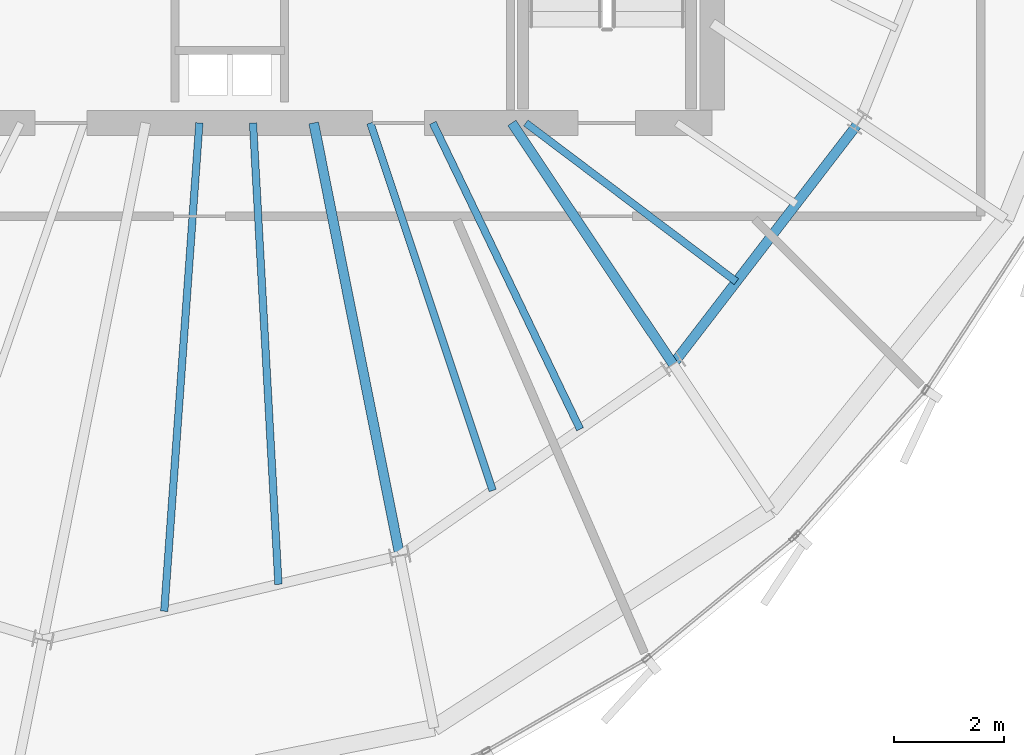
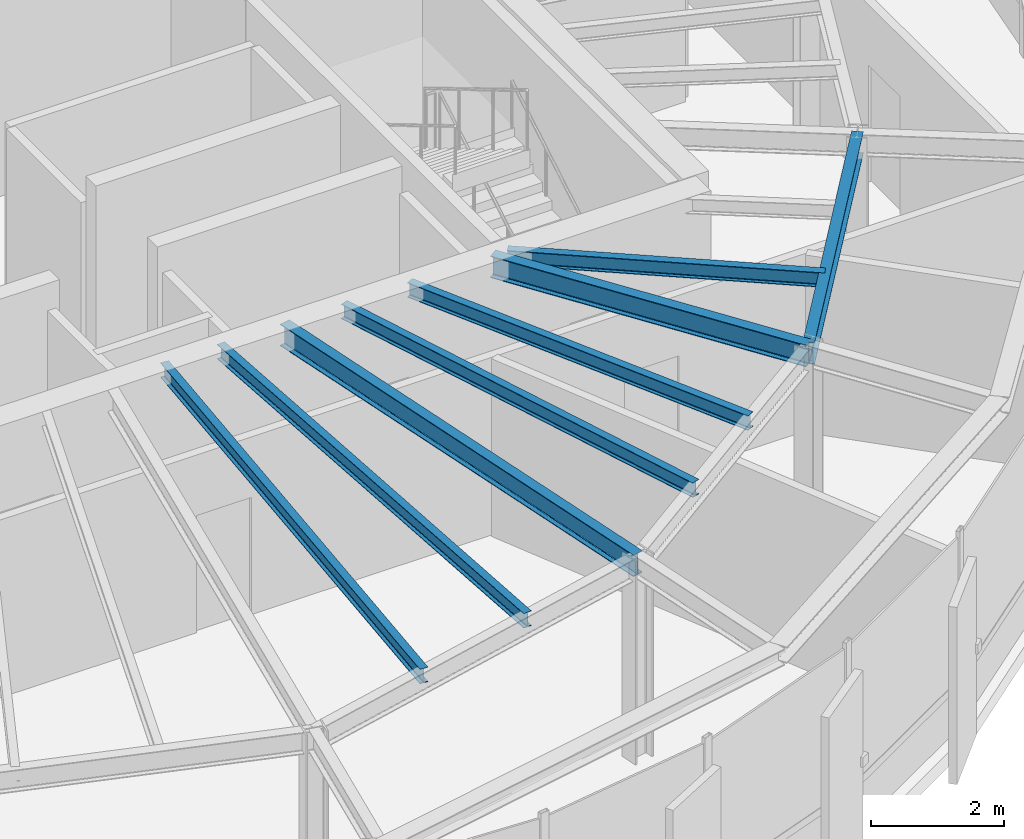
# One storey, part 8 of 27: 8 beams.
"""IFC4 building model written with IfcOpenShell, lengths in metres."""

from ifc_helpers import new_model, si_unit, direction, frame, origin, origin_2d, place, context, subcontext, project, spatial, i_section, extrude, source, transform, mapped, material, material_profile, profile_set, type_object, element, save


model = new_model("IFC4")

# Units and contexts
model_context = context("Model", 3, precision=1e-05, world=origin(), true_north=direction((0.0, 1.0)))
body_context = subcontext(model_context, "Body", "Model", "MODEL_VIEW")
ifc_project = project(units=[si_unit("LENGTHUNIT", "METRE"), si_unit("AREAUNIT", "SQUARE_METRE"), si_unit("VOLUMEUNIT", "CUBIC_METRE"), si_unit("PLANEANGLEUNIT", "RADIAN"), si_unit("MASSUNIT", "GRAM", prefix="KILO"), si_unit("THERMODYNAMICTEMPERATUREUNIT", "KELVIN")], contexts=[model_context])

# Site, building, storey
site_placement = place(None, origin())
site = spatial("IfcSite", under=ifc_project, at=site_placement, CompositionType="ELEMENT")
building_placement = place(site_placement, origin())
building = spatial("IfcBuilding", under=site, at=building_placement, Name="Kethvar Cultural Tower", CompositionType="ELEMENT")
storey_placement = place(building_placement, frame((0.0, 0.0, 312.300048828125)))
storey = spatial("IfcBuildingStorey", under=building, at=storey_placement, Name="L83", CompositionType="ELEMENT", Elevation=312.300048828125)

# Beams
ifc_material = material(Name="Steel S355J2", Category="steel")
ifc_material_profile_1 = material_profile(ifc_material, i_section(OverallWidth=0.135009765625, OverallDepth=0.27001953125, WebThickness=0.006591796875, FlangeThickness=0.01025390625, FilletRadius=0.014892578125, at=origin_2d()), Name="Steel S355J2 — IPE270")
ifc_profile_set_1 = profile_set([ifc_material_profile_1], Name="Steel S355J2 — IPE270")
beam_type_1 = type_object("IfcBeamType", Name="BM-J270", PredefinedType="JOIST", material=ifc_profile_set_1)
shared_shape_1 = source(origin(), body_context, "Body", "SweptSolid", [
    extrude(i_section(OverallWidth=0.135009765625, OverallDepth=0.27001953125, WebThickness=0.006591796875, FlangeThickness=0.01025390625, FilletRadius=0.014892578125, at=origin_2d()), origin(), (0.0, 0.0, 1.0), 8.9296875),
])
beam_1_placement = place(storey_placement, frame((46.246337890625, 20.10009765625, 3.597900390625), z_axis=(-0.071713352262, -0.99742528297, 0.0), x_axis=(0.99742528297, -0.071713352262, 0.0)))
element("IfcBeam", 1, at=beam_1_placement, inside=storey, type_object=beam_type_1, Name="L83 Composite Floor Joist J-12A", PredefinedType="JOIST", context=body_context, shape_type="MappedRepresentation", body=[
    mapped(shared_shape_1, transform((0.0, 0.0, 0.0), scale=1.0)),
])
shared_shape_2 = source(origin(), body_context, "Body", "SweptSolid", [
    extrude(i_section(OverallWidth=0.135009765625, OverallDepth=0.27001953125, WebThickness=0.006591796875, FlangeThickness=0.01025390625, FilletRadius=0.014892578125, at=origin_2d()), origin(), (0.0, 0.0, 1.0), 8.427978515625),
])
beam_2_placement = place(storey_placement, frame((47.224609375, 20.10009765625, 3.597900390625), z_axis=(0.055067321535, -0.998482643865, 0.0), x_axis=(0.998482643865, 0.055067321535, 0.0)))
element("IfcBeam", 2, at=beam_2_placement, inside=storey, type_object=beam_type_1, Name="L83 Composite Floor Joist J-12B", PredefinedType="JOIST", context=body_context, shape_type="MappedRepresentation", body=[
    mapped(shared_shape_2, transform((0.0, 0.0, 0.0), scale=1.0)),
])
shared_shape_3 = source(origin(), body_context, "Body", "SweptSolid", [
    extrude(i_section(OverallWidth=0.135009765625, OverallDepth=0.27001953125, WebThickness=0.006591796875, FlangeThickness=0.01025390625, FilletRadius=0.014892578125, at=origin_2d()), origin(), (0.0, 0.0, 1.0), 7.0673828125),
])
beam_3_placement = place(storey_placement, frame((49.363525390625, 20.10009765625, 3.597900390625), z_axis=(0.315875389768, -0.948800684095, 0.0), x_axis=(0.948800684095, 0.315875389768, 0.0)))
element("IfcBeam", 3, at=beam_3_placement, inside=storey, type_object=beam_type_1, Name="L83 Composite Floor Joist J-13A", PredefinedType="JOIST", context=body_context, shape_type="MappedRepresentation", body=[
    mapped(shared_shape_3, transform((0.0, 0.0, 0.0), scale=1.0)),
])
shared_shape_4 = source(origin(), body_context, "Body", "SweptSolid", [
    extrude(i_section(OverallWidth=0.135009765625, OverallDepth=0.27001953125, WebThickness=0.006591796875, FlangeThickness=0.01025390625, FilletRadius=0.014892578125, at=origin_2d()), origin(), (0.0, 0.0, 1.0), 6.2001953125),
])
beam_4_placement = place(storey_placement, frame((50.50341796875, 20.10009765625, 3.597900390625), z_axis=(0.433410678328, -0.901196529017, 0.0), x_axis=(0.901196529017, 0.433410678328, 0.0)))
element("IfcBeam", 4, at=beam_4_placement, inside=storey, type_object=beam_type_1, Name="L83 Composite Floor Joist J-13B", PredefinedType="JOIST", context=body_context, shape_type="MappedRepresentation", body=[
    mapped(shared_shape_4, transform((0.0, 0.0, 0.0), scale=1.0)),
])
shared_shape_5 = source(origin(), body_context, "Body", "SweptSolid", [
    extrude(i_section(OverallWidth=0.135009765625, OverallDepth=0.27001953125, WebThickness=0.006591796875, FlangeThickness=0.01025390625, FilletRadius=0.014892578125, at=origin_2d()), origin(), (0.0, 0.0, 1.0), 4.810791015625),
])
beam_5_placement = place(storey_placement, frame((52.199951171875, 20.10009765625, 3.597900390625), z_axis=(0.798542152732, -0.601938892505, 0.0), x_axis=(0.601938892505, 0.798542152732, 0.0)))
element("IfcBeam", 5, at=beam_5_placement, inside=storey, type_object=beam_type_1, Name="L83 Composite Floor Joist J-14A", PredefinedType="JOIST", context=body_context, shape_type="MappedRepresentation", body=[
    mapped(shared_shape_5, transform((0.0, 0.0, 0.0), scale=1.0)),
])
ifc_material_profile_2 = material_profile(ifc_material, i_section(OverallWidth=0.179931640625, OverallDepth=0.39990234375, WebThickness=0.008544921875, FlangeThickness=0.013427734375, FilletRadius=0.02099609375, at=origin_2d()), Name="Steel S355J2 — IPE400")
ifc_profile_set_2 = profile_set([ifc_material_profile_2], Name="Steel S355J2 — IPE400")
beam_type_2 = type_object("IfcBeamType", Name="BM-IPE400", PredefinedType="BEAM", material=ifc_profile_set_2)
shared_shape_6 = source(origin(), body_context, "Body", "SweptSolid", [
    extrude(i_section(OverallWidth=0.179931640625, OverallDepth=0.39990234375, WebThickness=0.008544921875, FlangeThickness=0.013427734375, FilletRadius=0.02099609375, at=origin_2d()), origin(), (0.0, 0.0, 1.0), 8.0478515625),
])
beam_6_placement = place(storey_placement, frame((48.33154296875, 20.10009765625, 3.532958984375), z_axis=(0.195089278796, -0.980785487912, 0.0), x_axis=(0.980785487912, 0.195089278796, 0.0)))
element("IfcBeam", 6, at=beam_6_placement, inside=storey, type_object=beam_type_2, Name="L83 Primary Radial Beam RB-13", PredefinedType="BEAM", context=body_context, shape_type="MappedRepresentation", body=[
    mapped(shared_shape_6, transform((0.0, 0.0, 0.0), scale=1.0)),
])
shared_shape_7 = source(origin(), body_context, "Body", "SweptSolid", [
    extrude(i_section(OverallWidth=0.179931640625, OverallDepth=0.39990234375, WebThickness=0.008544921875, FlangeThickness=0.013427734375, FilletRadius=0.02099609375, at=origin_2d()), origin(), (0.0, 0.0, 1.0), 5.291748046875),
])
beam_7_placement = place(storey_placement, frame((51.945068359375, 20.10009765625, 3.532958984375), z_axis=(0.555572931011, -0.831467809556, 0.0), x_axis=(0.831467809556, 0.555572931011, 0.0)))
element("IfcBeam", 7, at=beam_7_placement, inside=storey, type_object=beam_type_2, Name="L83 Primary Radial Beam RB-14", PredefinedType="BEAM", context=body_context, shape_type="MappedRepresentation", body=[
    mapped(shared_shape_7, transform((0.0, 0.0, 0.0), scale=1.0)),
])
shared_shape_8 = source(origin(), body_context, "Body", "SweptSolid", [
    extrude(i_section(OverallWidth=0.179931640625, OverallDepth=0.39990234375, WebThickness=0.008544921875, FlangeThickness=0.013427734375, FilletRadius=0.02099609375, at=origin_2d()), origin(), (0.0, 0.0, 1.0), 5.5810546875),
])
beam_8_placement = place(storey_placement, frame((54.885009765625, 15.7001953125, 3.532958984375), z_axis=(0.60957334008, 0.79272967843, 0.0), x_axis=(-0.79272967843, 0.60957334008, 0.0)))
element("IfcBeam", 8, at=beam_8_placement, inside=storey, type_object=beam_type_2, Name="L83 Column Ring Tie Beam CR-14", PredefinedType="BEAM", context=body_context, shape_type="MappedRepresentation", body=[
    mapped(shared_shape_8, transform((0.0, 0.0, 0.0), scale=1.0)),
])

save(model, "model.ifc")
